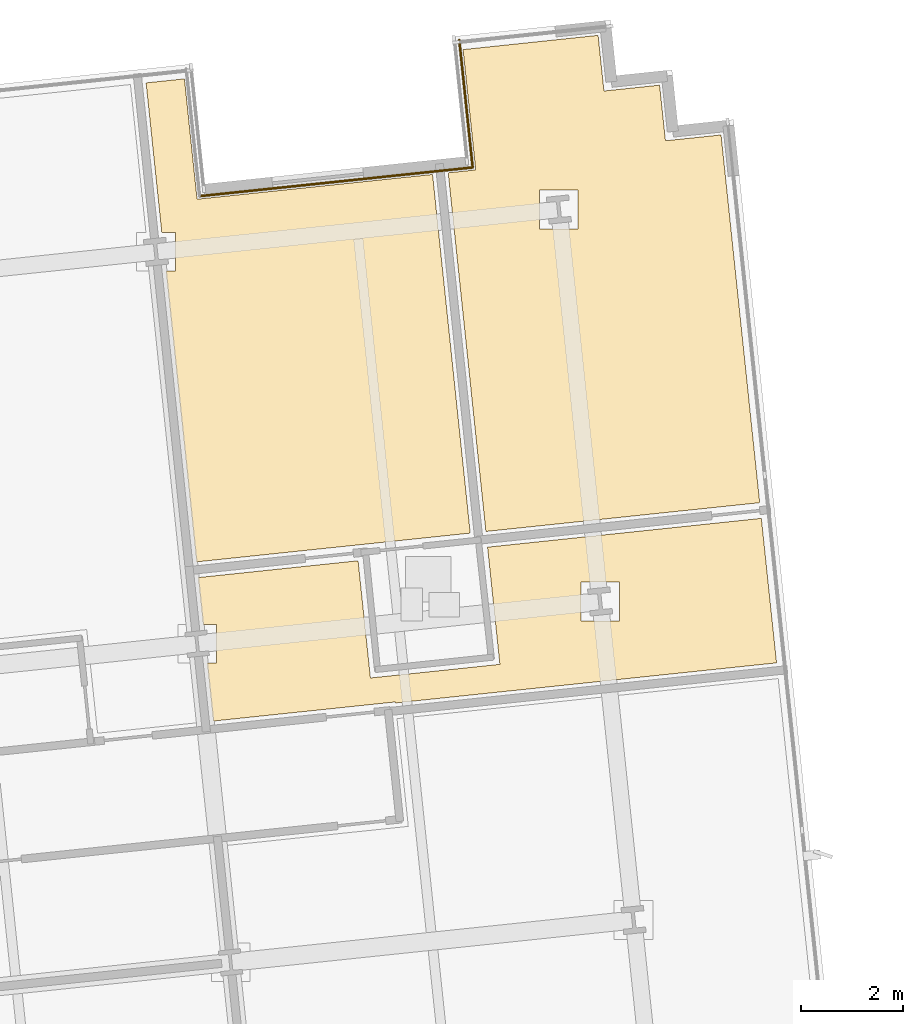
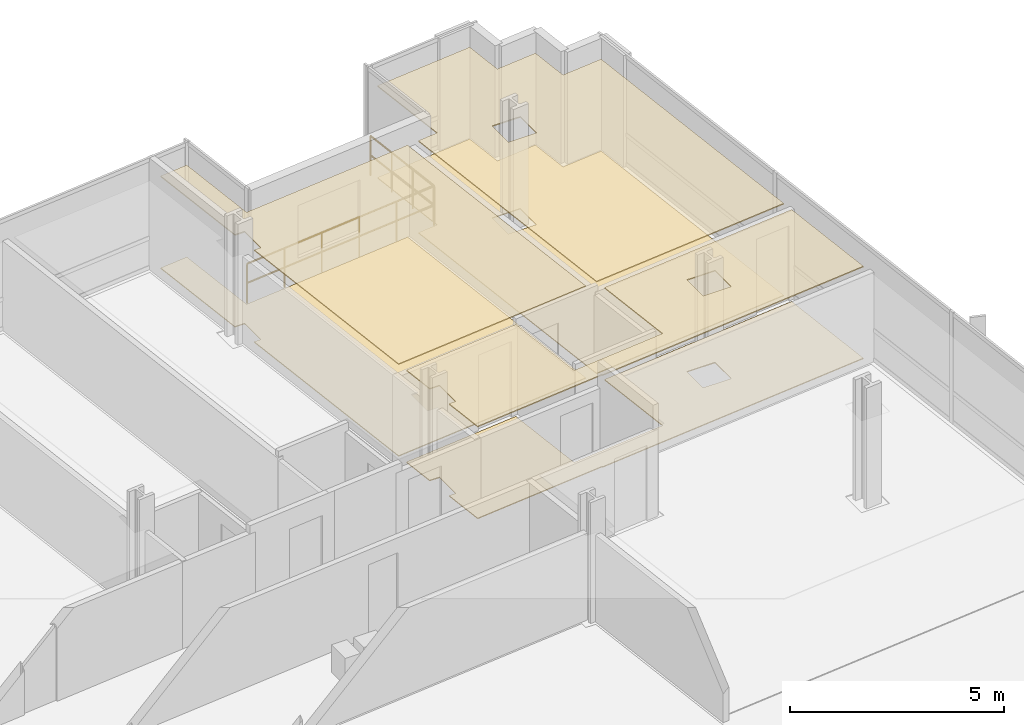
# One storey, part 20 of 21: 6 coverings, 2 railings.
"""IFC4 building model written with IfcOpenShell, lengths in metres."""

from ifc_helpers import new_model, si_unit, direction, frame, origin, origin_2d, place, context, subcontext, project, spatial, polyline, circle, outline, extrude, material, layer, layer_set, type_object, element, save


model = new_model("IFC4")

# Units and contexts
model_context = context("Model", 3, precision=1e-05, world=origin(), true_north=direction((0.0, 1.0)))
body_context = subcontext(model_context, "Body", "Model", "MODEL_VIEW")
ifc_project = project(units=[si_unit("LENGTHUNIT", "METRE"), si_unit("AREAUNIT", "SQUARE_METRE"), si_unit("VOLUMEUNIT", "CUBIC_METRE"), si_unit("PLANEANGLEUNIT", "RADIAN"), si_unit("MASSUNIT", "GRAM", prefix="KILO")], contexts=[model_context])

# Site, building, storey
site_placement = place(None, origin())
site = spatial("IfcSite", under=ifc_project, at=site_placement, CompositionType="ELEMENT")
building_placement = place(site_placement, origin())
building = spatial("IfcBuilding", under=site, at=building_placement, Name="Solmavex Isthmus Hotel", CompositionType="ELEMENT")
storey_placement = place(building_placement, frame((0.0, 0.0, 113.25)))
storey = spatial("IfcBuildingStorey", under=building, at=storey_placement, Name="L30", CompositionType="ELEMENT", Elevation=113.25)

# Coverings
ifc_material_1 = material(Name="Gypsum plasterboard lining", Category="gypsum")
ifc_layer_1 = layer(ifc_material_1, 0.030029296875)
ifc_layer_set_1 = layer_set([ifc_layer_1], Name="Gypsum plasterboard lining")
covering_type_1 = type_object("IfcCoveringType", Name="COV-CEIL-GYP", PredefinedType="CEILING", material=ifc_layer_set_1)
covering_1_placement = place(storey_placement, frame((0.0, 0.0, 2.6201171875)))
element("IfcCovering", 1, at=covering_1_placement, inside=storey, type_object=covering_type_1, Name="Suspended Acoustic Ceiling L30-SH06-LV", PredefinedType="CEILING", context=body_context, shape_type="SweptSolid", body=[
    extrude(outline(polyline([(23.726806640625, 13.556640625), (20.580078125, 13.22607421875), (20.67724609375, 12.3017578125), (20.94140625, 12.3017578125), (20.94140625, 11.541748046875), (20.75732421875, 11.541748046875), (20.876953125, 10.403564453125), (24.45703125, 10.77978515625), (24.459228515625, 10.760009765625), (31.955810546875, 11.5478515625), (31.6572265625, 14.39013671875), (26.27294921875, 13.82421875), (26.51513671875, 11.51904296875), (23.96923828125, 11.25146484375), (23.726806640625, 13.556640625)]), holes=[polyline([(28.105712890625, 12.374755859375), (28.105712890625, 13.134765625), (28.86572265625, 13.134765625), (28.86572265625, 12.374755859375), (28.105712890625, 12.374755859375)])]), origin(), (0.0, 0.0, 1.0), 0.02978515625),
])
covering_2_placement = place(storey_placement, frame((0.0, 0.0, 2.6201171875)))
element("IfcCovering", 2, at=covering_2_placement, inside=storey, type_object=covering_type_1, Name="Suspended Acoustic Ceiling L30-HB06", PredefinedType="CEILING", context=body_context, shape_type="SweptSolid", body=[
    extrude(outline(polyline([(19.866943359375, 20.011474609375), (20.131103515625, 20.011474609375), (20.131103515625, 19.25146484375), (19.947021484375, 19.25146484375), (20.5478515625, 13.5341796875), (25.93212890625, 14.10009765625), (25.19091796875, 21.1533203125), (20.560302734375, 20.666748046875), (20.3115234375, 23.03369140625), (19.5576171875, 22.954345703125), (19.866943359375, 20.011474609375)])), origin(), (0.0, 0.0, 1.0), 0.02978515625),
])
covering_3_placement = place(storey_placement, frame((0.0, 0.0, 2.6201171875)))
element("IfcCovering", 3, at=covering_3_placement, inside=storey, type_object=covering_type_1, Name="Suspended Acoustic Ceiling L30-HP06", PredefinedType="CEILING", context=body_context, shape_type="SweptSolid", body=[
    extrude(outline(polyline([(28.561767578125, 22.794677734375), (28.44677734375, 23.888671875), (27.626220703125, 23.802490234375), (25.791259765625, 23.609619140625), (26.0400390625, 21.24267578125), (25.4990234375, 21.185791015625), (26.240478515625, 14.132568359375), (31.624755859375, 14.698486328125), (30.950927734375, 21.110107421875), (30.86474609375, 21.9306640625), (29.770751953125, 21.815673828125), (29.65576171875, 22.90966796875), (28.561767578125, 22.794677734375)]), holes=[polyline([(27.29541015625, 20.84423828125), (28.055419921875, 20.84423828125), (28.055419921875, 20.084228515625), (27.29541015625, 20.084228515625), (27.29541015625, 20.84423828125)])]), origin(), (0.0, 0.0, 1.0), 0.02978515625),
])
ifc_material_2 = material(Name="Travertine natural stone", Category="masonry")
ifc_layer_2 = layer(ifc_material_2, 0.02490234375)
ifc_layer_set_2 = layer_set([ifc_layer_2], Name="Travertine natural stone")
covering_type_2 = type_object("IfcCoveringType", Name="COV-FLOR-STN", PredefinedType="FLOORING", material=ifc_layer_set_2)
covering_4_placement = place(storey_placement, origin())
element("IfcCovering", 4, at=covering_4_placement, inside=storey, type_object=covering_type_2, Name="Stone and Timber Floor Finish L30-SH06-LV", PredefinedType="FLOORING", context=body_context, shape_type="SweptSolid", body=[
    extrude(outline(polyline([(23.726806640625, 13.556640625), (20.580078125, 13.22607421875), (20.67724609375, 12.3017578125), (20.94140625, 12.3017578125), (20.94140625, 11.541748046875), (20.75732421875, 11.541748046875), (20.876953125, 10.403564453125), (24.45703125, 10.77978515625), (24.459228515625, 10.760009765625), (31.955810546875, 11.5478515625), (31.6572265625, 14.39013671875), (26.27294921875, 13.82421875), (26.51513671875, 11.51904296875), (23.96923828125, 11.25146484375), (23.726806640625, 13.556640625)]), holes=[polyline([(28.105712890625, 12.374755859375), (28.105712890625, 13.134765625), (28.86572265625, 13.134765625), (28.86572265625, 12.374755859375), (28.105712890625, 12.374755859375)])]), origin(), (0.0, 0.0, 1.0), 0.02490234375),
])
covering_5_placement = place(storey_placement, origin())
element("IfcCovering", 5, at=covering_5_placement, inside=storey, type_object=covering_type_2, Name="Stone and Timber Floor Finish L30-HB06", PredefinedType="FLOORING", context=body_context, shape_type="SweptSolid", body=[
    extrude(outline(polyline([(19.866943359375, 20.011474609375), (20.131103515625, 20.011474609375), (20.131103515625, 19.25146484375), (19.947021484375, 19.25146484375), (20.5478515625, 13.5341796875), (25.93212890625, 14.10009765625), (25.19091796875, 21.1533203125), (20.560302734375, 20.666748046875), (20.3115234375, 23.03369140625), (19.5576171875, 22.954345703125), (19.866943359375, 20.011474609375)])), origin(), (0.0, 0.0, 1.0), 0.02490234375),
])
covering_6_placement = place(storey_placement, origin())
element("IfcCovering", 6, at=covering_6_placement, inside=storey, type_object=covering_type_2, Name="Stone and Timber Floor Finish L30-HP06", PredefinedType="FLOORING", context=body_context, shape_type="SweptSolid", body=[
    extrude(outline(polyline([(28.561767578125, 22.794677734375), (28.44677734375, 23.888671875), (27.626220703125, 23.802490234375), (25.791259765625, 23.609619140625), (26.0400390625, 21.24267578125), (25.4990234375, 21.185791015625), (26.240478515625, 14.132568359375), (31.624755859375, 14.698486328125), (30.950927734375, 21.110107421875), (30.86474609375, 21.9306640625), (29.770751953125, 21.815673828125), (29.65576171875, 22.90966796875), (28.561767578125, 22.794677734375)]), holes=[polyline([(27.29541015625, 20.84423828125), (28.055419921875, 20.84423828125), (28.055419921875, 20.084228515625), (27.29541015625, 20.084228515625), (27.29541015625, 20.84423828125)])]), origin(), (0.0, 0.0, 1.0), 0.02490234375),
])

# Railings
ifc_material_3 = material(Name="Clear low-E laminated glass", Category="glass")
ifc_layer_3 = layer(ifc_material_3, 0.080078125)
ifc_layer_set_3 = layer_set([ifc_layer_3], Name="Clear low-E laminated glass")
railing_type = type_object("IfcRailingType", Name="RAIL-ATRIUM-1120", PredefinedType="BALUSTRADE", material=ifc_layer_set_3)
railing_1_placement = place(storey_placement, frame((20.609375, 20.72705078125, 0.0)))
element("IfcRailing", 7, at=railing_1_placement, inside=storey, type_object=railing_type, Name="Guardrail Balustrade L30-SGV-02", PredefinedType="BALUSTRADE", context=body_context, shape_type="SweptSolid", body=[
    extrude(circle(Radius=0.02392578125, at=origin_2d()), frame((0.0, 0.0, 1.1259765625), z_axis=(0.994521791324, 0.104529453177, 0.0), x_axis=(-0.104529453177, 0.994521791324, 0.0)), (0.0, 0.0, 1.0), 5.39990234375),
    extrude(circle(Radius=0.02392578125, at=origin_2d()), frame((0.0, 0.0, 0.574951171875), z_axis=(0.994521791324, 0.104529453177, 0.0), x_axis=(-0.104529453177, 0.994521791324, 0.0)), (0.0, 0.0, 1.0), 5.39990234375),
    extrude(circle(Radius=0.02099609375, at=origin_2d()), origin(), (0.0, 0.0, 1.0), 1.101806640625),
    extrude(circle(Radius=0.02099609375, at=origin_2d()), frame((1.073974609375, 0.11279296875, 0.0)), (0.0, 0.0, 1.0), 1.101806640625),
    extrude(circle(Radius=0.02099609375, at=origin_2d()), frame((2.148193359375, 0.225830078125, 0.0)), (0.0, 0.0, 1.0), 1.101806640625),
    extrude(circle(Radius=0.02099609375, at=origin_2d()), frame((3.22216796875, 0.338623046875, 0.0)), (0.0, 0.0, 1.0), 1.101806640625),
    extrude(circle(Radius=0.02099609375, at=origin_2d()), frame((4.29638671875, 0.45166015625, 0.0)), (0.0, 0.0, 1.0), 1.101806640625),
    extrude(circle(Radius=0.02099609375, at=origin_2d()), frame((5.370361328125, 0.564453125, 0.0)), (0.0, 0.0, 1.0), 1.101806640625),
])
railing_2_placement = place(storey_placement, frame((25.979736328125, 21.29150390625, 0.0)))
element("IfcRailing", 8, at=railing_2_placement, inside=storey, type_object=railing_type, Name="Guardrail Balustrade L30-SGV-03", PredefinedType="BALUSTRADE", context=body_context, shape_type="SweptSolid", body=[
    extrude(circle(Radius=0.02392578125, at=origin_2d()), frame((0.0, 0.0, 1.1259765625), z_axis=(-0.104528455675, 0.994521896166, 0.0), x_axis=(-0.994521896166, -0.104528455675, 0.0)), (0.0, 0.0, 1.0), 2.520263671875),
    extrude(circle(Radius=0.02392578125, at=origin_2d()), frame((0.0, 0.0, 0.574951171875), z_axis=(-0.104528455675, 0.994521896166, 0.0), x_axis=(-0.994521896166, -0.104528455675, 0.0)), (0.0, 0.0, 1.0), 2.520263671875),
    extrude(circle(Radius=0.02099609375, at=origin_2d()), origin(), (0.0, 0.0, 1.0), 1.101806640625),
    extrude(circle(Radius=0.02099609375, at=origin_2d()), frame((-0.087890625, 0.83544921875, 0.0)), (0.0, 0.0, 1.0), 1.101806640625),
    extrude(circle(Radius=0.02099609375, at=origin_2d()), frame((-0.175537109375, 1.6708984375, 0.0)), (0.0, 0.0, 1.0), 1.101806640625),
    extrude(circle(Radius=0.02099609375, at=origin_2d()), frame((-0.263427734375, 2.50634765625, 0.0)), (0.0, 0.0, 1.0), 1.101806640625),
])

save(model, "model.ifc")
